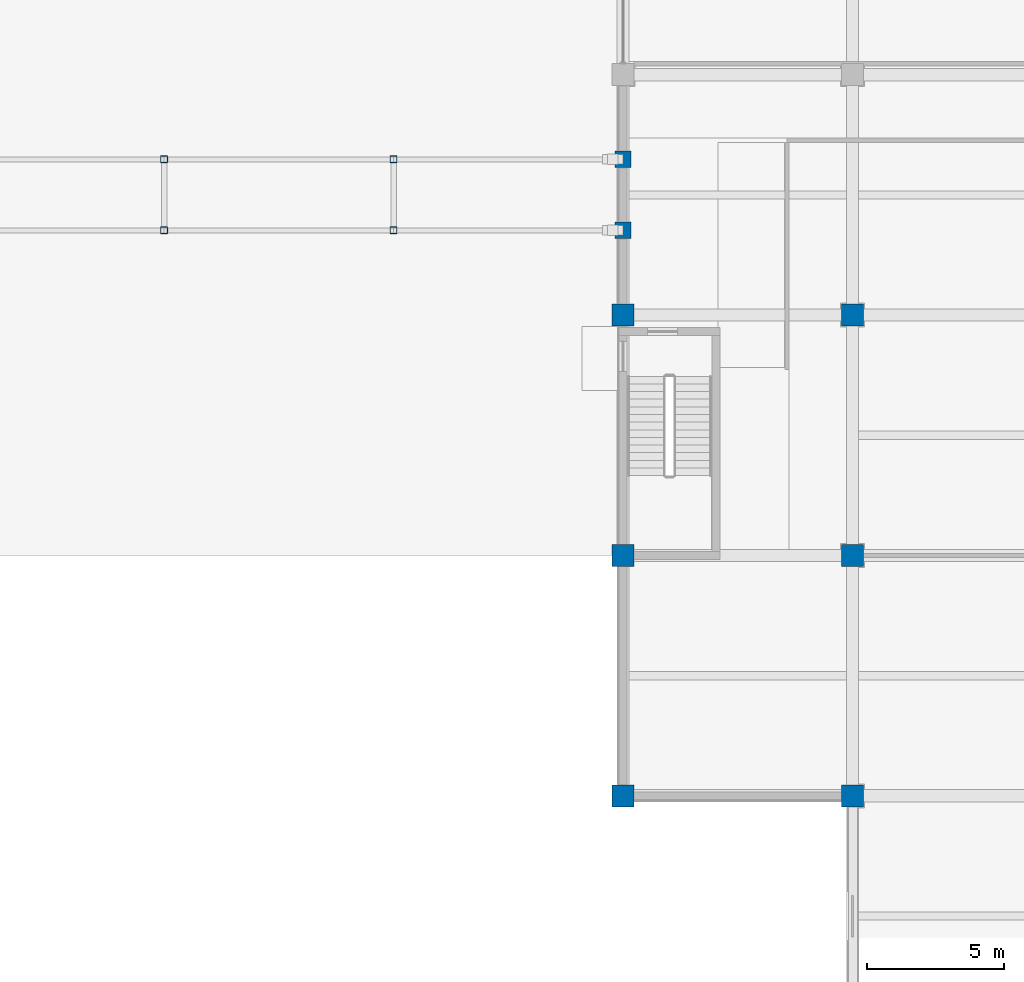
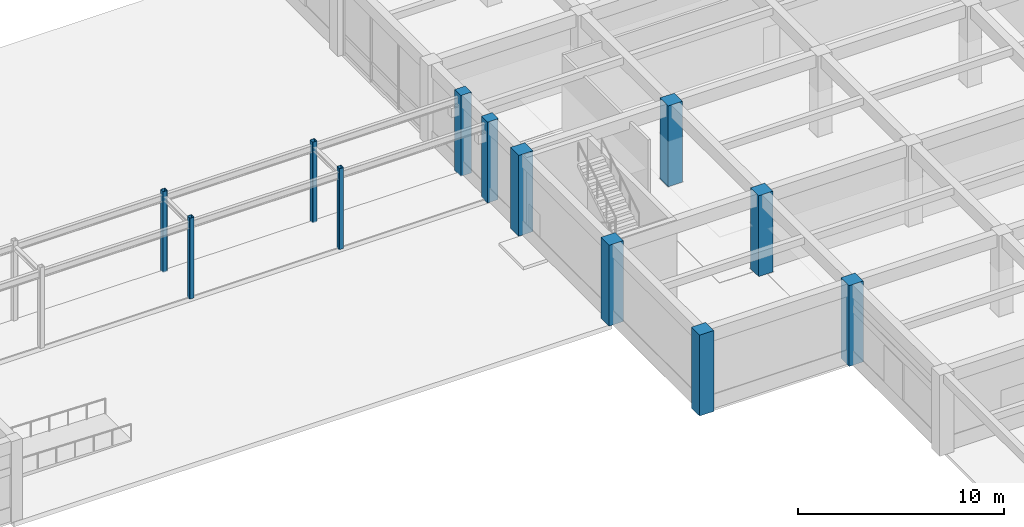
# One storey, part 9 of 58: 12 columns.
"""IFC4 building model written with IfcOpenShell, lengths in metres."""

from ifc_helpers import new_model, si_unit, direction, frame, origin, origin_2d, place, context, subcontext, project, spatial, rectangle, hollow_rectangle, extrude, material, material_profile, profile_set, type_object, element, save


model = new_model("IFC4")

# Units and contexts
model_context = context("Model", 3, precision=1e-05, world=origin(), true_north=direction((0.0, 1.0)))
body_context = subcontext(model_context, "Body", "Model", "MODEL_VIEW")
ifc_project = project(units=[si_unit("LENGTHUNIT", "METRE"), si_unit("AREAUNIT", "SQUARE_METRE"), si_unit("VOLUMEUNIT", "CUBIC_METRE"), si_unit("PLANEANGLEUNIT", "RADIAN"), si_unit("MASSUNIT", "GRAM", prefix="KILO")], contexts=[model_context])

# Site, building, storey
site_placement = place(None, origin())
site = spatial("IfcSite", under=ifc_project, at=site_placement, CompositionType="ELEMENT")
building_placement = place(site_placement, origin())
building = spatial("IfcBuilding", under=site, at=building_placement, Name="Kemercrest Conservatory and Botanical Centre", CompositionType="ELEMENT")
storey_placement = place(building_placement, origin())
storey = spatial("IfcBuildingStorey", under=building, at=storey_placement, Name="L00", CompositionType="ELEMENT", Elevation=0.0)

# Columns
ifc_material_1 = material(Name="Concrete C40/50", Category="concrete")
ifc_material_profile_1 = material_profile(ifc_material_1, rectangle(XDim=0.60009765625, YDim=0.60009765625, at=origin_2d()), Name="RC 600x600")
ifc_profile_set_1 = profile_set([ifc_material_profile_1], Name="Concrete C40/50")
column_type_1 = type_object("IfcColumnType", Name="C-RC60", PredefinedType="COLUMN", material=ifc_profile_set_1)
for number, where, z_axis, x_axis, name in (
    (1, (125.60009765625, 99.10009765625, 0.0), (0.0, 0.0, 1.0), (1.0, 0.0, 0.0), "North Courtyard Covered Passage SJ-3 rcv pier column 1"),
    (2, (125.60009765625, 101.699951171875, 0.0), (0.0, 0.0, 1.0), (1.0, 0.0, 0.0), "North Courtyard Covered Passage SJ-3 rcv pier column 2"),
):
    element("IfcColumn", number, at=place(storey_placement, frame(where, z_axis=z_axis, x_axis=x_axis)), inside=storey, type_object=column_type_1, Name=name, PredefinedType="COLUMN", context=body_context, shape_type="SweptSolid", body=[
        extrude(rectangle(XDim=0.60009765625, YDim=0.60009765625, at=origin_2d()), origin(), (0.0, 0.0, 1.0), 4.800048828125),
    ])
ifc_material_2 = material(Name="Concrete C50/60", Category="concrete")
ifc_material_profile_2 = material_profile(ifc_material_2, rectangle(XDim=0.800048828125, YDim=0.800048828125, at=origin_2d()), Name="RC 800x800")
ifc_profile_set_2 = profile_set([ifc_material_profile_2], Name="Concrete C50/60")
column_type_2 = type_object("IfcColumnType", Name="C-RC80", PredefinedType="COLUMN", material=ifc_profile_set_2)
for number, where, z_axis, x_axis, name in (
    (3, (125.60009765625, 78.39990234375, 0.0), (0.0, 0.0, 1.0), (1.0, 0.0, 0.0), "Tower column C-RC80 15/J"),
    (4, (125.60009765625, 87.199951171875, 0.0), (0.0, 0.0, 1.0), (1.0, 0.0, 0.0), "Tower column C-RC80 15/K"),
    (5, (125.60009765625, 96.0, 0.0), (0.0, 0.0, 1.0), (1.0, 0.0, 0.0), "Tower column C-RC80 15/L"),
    (6, (134.0, 78.39990234375, 0.0), (0.0, 0.0, 1.0), (1.0, 0.0, 0.0), "Tower column C-RC80 16/J"),
    (7, (134.0, 87.199951171875, 0.0), (0.0, 0.0, 1.0), (1.0, 0.0, 0.0), "Tower column C-RC80 16/K"),
    (8, (134.0, 96.0, 0.0), (0.0, 0.0, 1.0), (1.0, 0.0, 0.0), "Tower column C-RC80 16/L"),
):
    element("IfcColumn", number, at=place(storey_placement, frame(where, z_axis=z_axis, x_axis=x_axis)), inside=storey, type_object=column_type_2, Name=name, PredefinedType="COLUMN", context=body_context, shape_type="SweptSolid", body=[
        extrude(rectangle(XDim=0.800048828125, YDim=0.800048828125, at=origin_2d()), origin(), (0.0, 0.0, 1.0), 4.800048828125),
    ])
ifc_material_3 = material(Name="Steel CSA G40.21 350W", Category="steel")
ifc_material_profile_3 = material_profile(ifc_material_3, hollow_rectangle(XDim=0.25390625, YDim=0.25390625, WallThickness=0.0126953125, InnerFilletRadius=0.0126953125, OuterFilletRadius=0.02490234375, at=origin_2d()), Name="HSS 254x254x12.7")
ifc_profile_set_3 = profile_set([ifc_material_profile_3], Name="Steel CSA G40.21 350W")
column_type_3 = type_object("IfcColumnType", Name="C-S254", PredefinedType="COLUMN", material=ifc_profile_set_3)
for number, where, z_axis, x_axis, name in (
    (9, (108.800048828125, 99.10009765625, 0.0), (0.0, 0.0, 1.0), (1.0, 0.0, 0.0), "North Courtyard Covered Passage SJ-3 support column P2-1"),
    (10, (108.800048828125, 101.699951171875, 0.0), (0.0, 0.0, 1.0), (1.0, 0.0, 0.0), "North Courtyard Covered Passage SJ-3 support column P2-2"),
    (11, (117.199951171875, 99.10009765625, 0.0), (0.0, 0.0, 1.0), (1.0, 0.0, 0.0), "North Courtyard Covered Passage SJ-3 support column P3-1"),
    (12, (117.199951171875, 101.699951171875, 0.0), (0.0, 0.0, 1.0), (1.0, 0.0, 0.0), "North Courtyard Covered Passage SJ-3 support column P3-2"),
):
    element("IfcColumn", number, at=place(storey_placement, frame(where, z_axis=z_axis, x_axis=x_axis)), inside=storey, type_object=column_type_3, Name=name, PredefinedType="COLUMN", context=body_context, shape_type="SweptSolid", body=[
        extrude(hollow_rectangle(XDim=0.25390625, YDim=0.25390625, WallThickness=0.0126953125, InnerFilletRadius=0.0126953125, OuterFilletRadius=0.02490234375, at=origin_2d()), origin(), (0.0, 0.0, 1.0), 4.800048828125),
    ])

save(model, "model.ifc")
